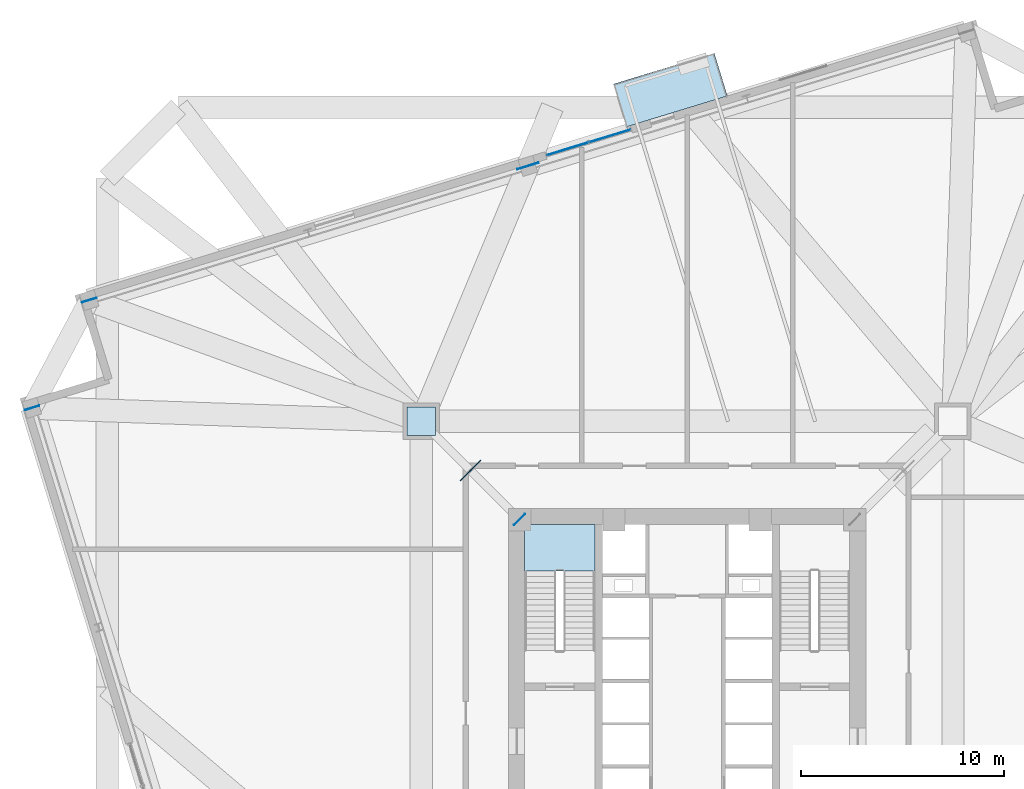
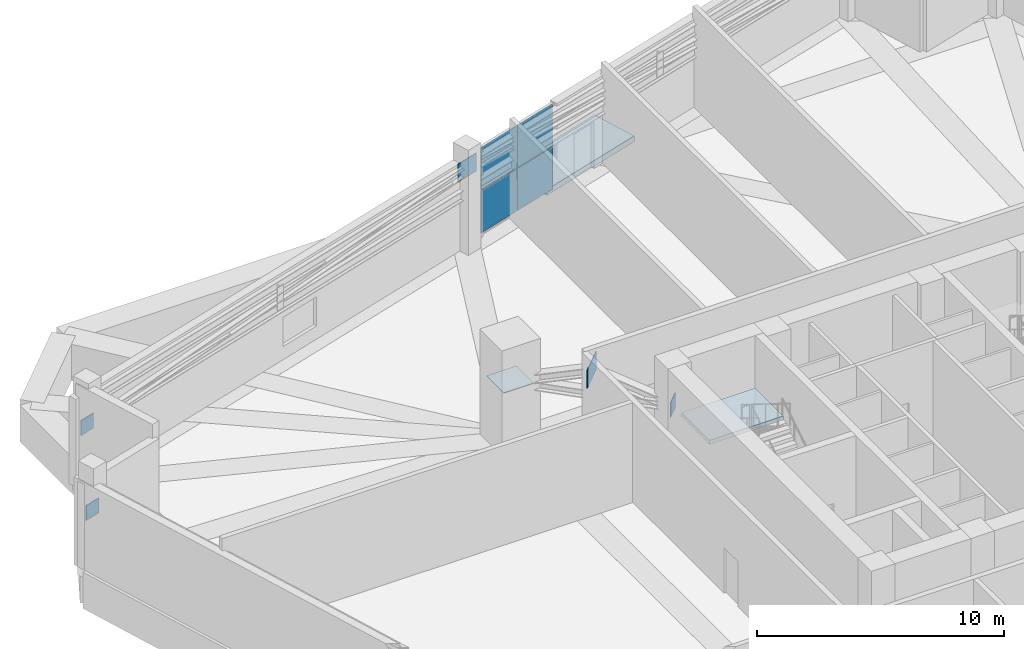
# One storey, part 14 of 22: 10 plates, 2 slabs, 2 elements without a shape of their own.
"""IFC4 building model written with IfcOpenShell, lengths in metres."""

from ifc_helpers import new_model, si_unit, direction, frame, origin, origin_2d, place, context, subcontext, project, spatial, polyline, rectangle, outline, extrude, source, transform, mapped, material, layer, layer_set, type_object, element, aggregate, save


model = new_model("IFC4")

# Units and contexts
model_context = context("Model", 3, precision=1e-05, world=origin(), true_north=direction((0.0, 1.0)))
body_context = subcontext(model_context, "Body", "Model", "MODEL_VIEW")
ifc_project = project(units=[si_unit("LENGTHUNIT", "METRE"), si_unit("AREAUNIT", "SQUARE_METRE"), si_unit("VOLUMEUNIT", "CUBIC_METRE"), si_unit("PLANEANGLEUNIT", "RADIAN"), si_unit("MASSUNIT", "GRAM", prefix="KILO"), si_unit("THERMODYNAMICTEMPERATUREUNIT", "KELVIN")], contexts=[model_context])

# Site, building, storey
site_placement = place(None, origin())
site = spatial("IfcSite", under=ifc_project, at=site_placement, CompositionType="ELEMENT")
building_placement = place(site_placement, origin())
building = spatial("IfcBuilding", under=site, at=building_placement, Name="Kosmvard Interchange Tower", CompositionType="ELEMENT")
storey_placement = place(building_placement, frame((0.0, 0.0, 78.0)))
storey = spatial("IfcBuildingStorey", under=building, at=storey_placement, Name="L18", CompositionType="ELEMENT", Elevation=78.0)

# Slab
ifc_material_1 = material(Name="Precast concrete C45/55", Category="concrete")
ifc_layer_1 = layer(ifc_material_1, 0.2900390625, Name="Precast concrete C45/55")
ifc_layer_set_1 = layer_set([ifc_layer_1], Name="Precast concrete C45/55")
slab_type_1 = type_object("IfcSlabType", Name="Cascade Garden Terrace Slab 290 C45/55", PredefinedType="FLOOR", material=ifc_layer_set_1)
slab_1_placement = place(storey_placement, frame((0.0, 0.0, -0.2900390625)))
element("IfcSlab", 1, at=slab_1_placement, inside=storey, type_object=slab_type_1, Name="L18 Outdoor Terrace Balcony Slab SKG-L18-N", PredefinedType="FLOOR", context=body_context, shape_type="SweptSolid", body=[
    extrude(outline(polyline([(-2.994384765625, 27.57958984375), (1.978515625, 29.099853515625), (1.335205078125, 31.203857421875), (-3.637451171875, 29.68359375), (-2.994384765625, 27.57958984375)])), origin(), (0.0, 0.0, 1.0), 0.2900390625),
])

# Stair, slab
ifc_material_2 = material(Name="Concrete C50/60", Category="concrete")
stair_type = type_object("IfcStairType", Name="Dog-Leg Core Exit Stair H5200 C50/60", PredefinedType="HALF_TURN_STAIR", material=ifc_material_2)
stair_placement = place(storey_placement, origin())
stair = element("IfcStair", 2, at=stair_placement, inside=storey, type_object=stair_type, Name="L18 Protected Exit Stair ST-1", PredefinedType="HALF_TURN_STAIR")
ifc_layer_2 = layer(ifc_material_2, 0.199951171875, Name="Concrete C50/60")
ifc_layer_set_2 = layer_set([ifc_layer_2], Name="Concrete C50/60")
slab_type_2 = type_object("IfcSlabType", Name="Stair Half-Landing Slab 200 C50/60", PredefinedType="LANDING", material=ifc_layer_set_2)
slab_2_placement = place(storey_placement, frame((0.0, 0.0, 2.39990234375)))
slab_2 = element("IfcSlab", 3, at=slab_2_placement, type_object=slab_type_2, Name="ST-1 landing 1", PredefinedType="LANDING", context=body_context, shape_type="SweptSolid", body=[
    extrude(outline(polyline([(-4.5400390625, 5.719970703125), (-4.5400390625, 8.0), (-8.0, 8.0), (-8.0, 5.719970703125), (-4.5400390625, 5.719970703125)])), origin(), (0.0, 0.0, 1.0), 0.2001953125),
])
aggregate(stair, [slab_2])

# Plates
ifc_material_3 = material(Name="Steel S460", Category="steel")
ifc_layer_3 = layer(ifc_material_3, 0.031982421875, Name="Steel S460")
ifc_layer_set_3 = layer_set([ifc_layer_3], Name="Steel S460")
plate_type_1 = type_object("IfcPlateType", Name="Belt Truss Gusset Plate 1100x1100x32 S460", PredefinedType="USERDEFINED", material=ifc_layer_set_3)
shared_shape_1 = source(origin(), body_context, "Body", "SweptSolid", [
    extrude(rectangle(XDim=0.75, YDim=0.031982421875, at=origin_2d()), origin(), (0.0, 0.0, 1.0), 0.75),
])
for number, where, z_axis, x_axis, name in (
    (4, (-8.25, 8.25, 2.544921875), (0.0, 0.0, 1.0), (0.707106781187, 0.707106781187, 0.0), "L18 Outrigger Core End Gusset Plate 4"),
    (5, (-29.431396484375, 19.052490234375, 2.445068359375), (0.0, 0.0, 1.0), (0.956304755963, 0.292371704723, 0.0), "L18 Belt Truss End Gusset Plate BBN"),
    (6, (-32.253173828125, 13.74560546875, 2.445068359375), (0.0, 0.0, 1.0), (0.956304755963, 0.292371704723, 0.0), "L18 Belt Truss End Gusset Plate BAW"),
):
    element("IfcPlate", number, at=place(storey_placement, frame(where, z_axis=z_axis, x_axis=x_axis)), inside=storey, type_object=plate_type_1, Name=name, ObjectType="GUSSET_PLATE", PredefinedType="USERDEFINED", context=body_context, shape_type="MappedRepresentation", body=[
        mapped(shared_shape_1, transform((0.0, 0.0, 0.0), scale=1.0)),
    ])
ifc_layer_4 = layer(ifc_material_3, 0.035888671875, Name="Steel S460")
ifc_layer_set_4 = layer_set([ifc_layer_4], Name="Steel S460")
plate_type_2 = type_object("IfcPlateType", Name="Outrigger Node Gusset Plate 1400x1400x36 S460", PredefinedType="USERDEFINED", material=ifc_layer_set_4)
shared_shape_2 = source(origin(), body_context, "Body", "SweptSolid", [
    extrude(rectangle(XDim=1.39990234375, YDim=0.035888671875, at=origin_2d()), origin(), (0.0, 0.0, 1.0), 0.89990234375),
])
plate_1_placement = place(storey_placement, frame((-10.66552734375, 10.66552734375, 3.580078125), z_axis=(0.0, 0.0, 1.0), x_axis=(0.707106781187, 0.707106781187, 0.0)))
element("IfcPlate", 7, at=plate_1_placement, inside=storey, type_object=plate_type_2, Name="L18 Outrigger Node Gusset Plate 4", ObjectType="GUSSET_PLATE", PredefinedType="USERDEFINED", context=body_context, shape_type="MappedRepresentation", body=[
    mapped(shared_shape_2, transform((0.0, 0.0, 0.0), scale=1.0)),
])
ifc_layer_5 = layer(ifc_material_3, 0.034912109375, Name="Steel S460")
ifc_layer_set_5 = layer_set([ifc_layer_5], Name="Steel S460")
plate_type_3 = type_object("IfcPlateType", Name="Mega-Column Splice Flange Plate 1400x1400x35 S460", PredefinedType="USERDEFINED", material=ifc_layer_set_5)
shared_shape_3 = source(origin(), body_context, "Body", "SweptSolid", [
    extrude(rectangle(XDim=1.39990234375, YDim=1.39990234375, at=origin_2d()), origin(), (0.0, 0.0, 1.0), 0.034912109375),
])
plate_2_placement = place(storey_placement, frame((-13.0810546875, 13.0810546875, 2.90234375), z_axis=(0.0, 0.0, 1.0), x_axis=(1.0, 0.0, 0.0)))
element("IfcPlate", 8, at=plate_2_placement, inside=storey, type_object=plate_type_3, Name="L18 Mega-Column Splice Flange Plate 4", ObjectType="FLANGE_PLATE", PredefinedType="USERDEFINED", context=body_context, shape_type="MappedRepresentation", body=[
    mapped(shared_shape_3, transform((0.0, 0.0, 0.0), scale=1.0)),
])
shared_shape_4 = source(origin(), body_context, "Body", "SweptSolid", [
    extrude(rectangle(XDim=1.10009765625, YDim=0.031982421875, at=origin_2d()), origin(), (0.0, 0.0, 1.0), 0.89990234375),
])
plate_3_placement = place(storey_placement, frame((-7.8427734375, 25.65283203125, 3.510009765625), z_axis=(0.0, 0.0, 1.0), x_axis=(0.956304755963, 0.292371704723, 0.0)))
element("IfcPlate", 9, at=plate_3_placement, inside=storey, type_object=plate_type_1, Name="L18 Belt Truss Node Gusset Plate N", ObjectType="GUSSET_PLATE", PredefinedType="USERDEFINED", context=body_context, shape_type="MappedRepresentation", body=[
    mapped(shared_shape_4, transform((0.0, 0.0, 0.0), scale=1.0)),
])

# Curtain wall, plates
ifc_material_4 = material(Name="Architectural anodised aluminium", Category="aluminium")
ifc_layer_6 = layer(ifc_material_4, 0.179931640625, Name="Architectural anodised aluminium")
ifc_layer_set_6 = layer_set([ifc_layer_6], Name="Architectural anodised aluminium")
curtain_wall_type = type_object("IfcCurtainWallType", Name="CW-3 Sky-Garden Vestibule Curtain Wall", PredefinedType="NOTDEFINED", material=ifc_layer_set_6)
curtain_wall_placement = place(storey_placement, origin())
curtain_wall = element("IfcCurtainWall", 10, at=curtain_wall_placement, inside=storey, type_object=curtain_wall_type, Name="L18 Sky-Garden Curtain Wall N", PredefinedType="NOTDEFINED")
ifc_material_5 = material(Name="Low-E solar-control double glazing", Category="glass")
ifc_layer_7 = layer(ifc_material_5, 0.031982421875, Name="Low-E solar-control double glazing")
ifc_layer_set_7 = layer_set([ifc_layer_7], Name="Low-E solar-control double glazing")
plate_type_4 = type_object("IfcPlateType", Name="Sky-Garden Vision Curtain Panel 32", PredefinedType="CURTAIN_PANEL", material=ifc_layer_set_7)
shared_shape_5 = source(origin(), body_context, "Body", "SweptSolid", [
    extrude(rectangle(XDim=2.1025390625, YDim=0.031982421875, at=origin_2d()), origin(), (0.0, 0.0, 1.0), 2.080078125),
])
plate_4_placement = place(storey_placement, frame((-3.81494140625, 27.130126953125, 0.06005859375), z_axis=(0.0, 0.0, 1.0), x_axis=(-0.956304725673, -0.292371803799, 0.0)))
plate_4 = element("IfcPlate", 11, at=plate_4_placement, type_object=plate_type_4, Name="CW-3 panel 1.1", PredefinedType="CURTAIN_PANEL", context=body_context, shape_type="MappedRepresentation", body=[
    mapped(shared_shape_5, transform((0.0, 0.0, 0.0), scale=1.0)),
])
plate_5_placement = place(storey_placement, frame((-3.81494140625, 27.130126953125, 2.199951171875), z_axis=(0.0, 0.0, 1.0), x_axis=(-0.956304725673, -0.292371803799, 0.0)))
plate_5 = element("IfcPlate", 12, at=plate_5_placement, type_object=plate_type_4, Name="CW-3 panel 1.2", PredefinedType="CURTAIN_PANEL", context=body_context, shape_type="MappedRepresentation", body=[
    mapped(shared_shape_5, transform((0.0, 0.0, 0.0), scale=1.0)),
])
plate_6_placement = place(storey_placement, frame((-5.8876953125, 26.496337890625, 0.06005859375), z_axis=(0.0, 0.0, 1.0), x_axis=(-0.956304725673, -0.292371803799, 0.0)))
plate_6 = element("IfcPlate", 13, at=plate_6_placement, type_object=plate_type_4, Name="CW-3 panel 2.1", PredefinedType="CURTAIN_PANEL", context=body_context, shape_type="MappedRepresentation", body=[
    mapped(shared_shape_5, transform((0.0, 0.0, 0.0), scale=1.0)),
])
plate_7_placement = place(storey_placement, frame((-5.8876953125, 26.496337890625, 2.199951171875), z_axis=(0.0, 0.0, 1.0), x_axis=(-0.956304725673, -0.292371803799, 0.0)))
plate_7 = element("IfcPlate", 14, at=plate_7_placement, type_object=plate_type_4, Name="CW-3 panel 2.2", PredefinedType="CURTAIN_PANEL", context=body_context, shape_type="MappedRepresentation", body=[
    mapped(shared_shape_5, transform((0.0, 0.0, 0.0), scale=1.0)),
])
aggregate(curtain_wall, [plate_4, plate_5, plate_6, plate_7])

save(model, "model.ifc")
